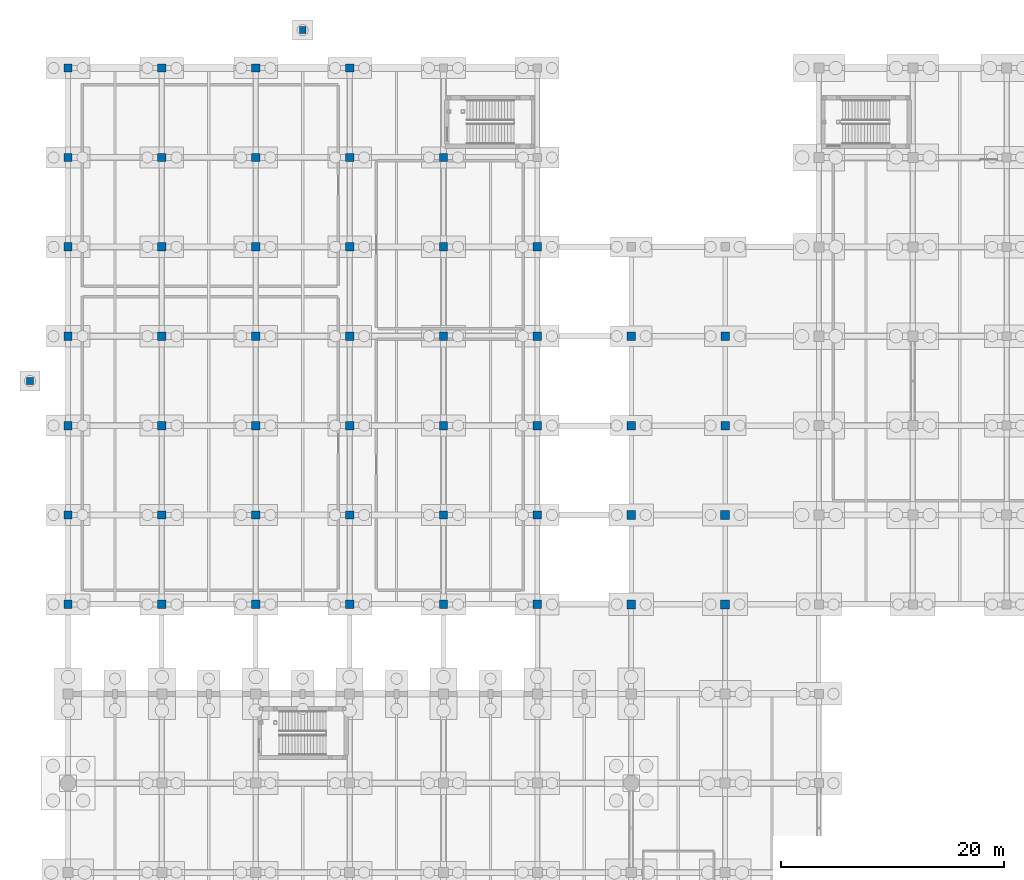
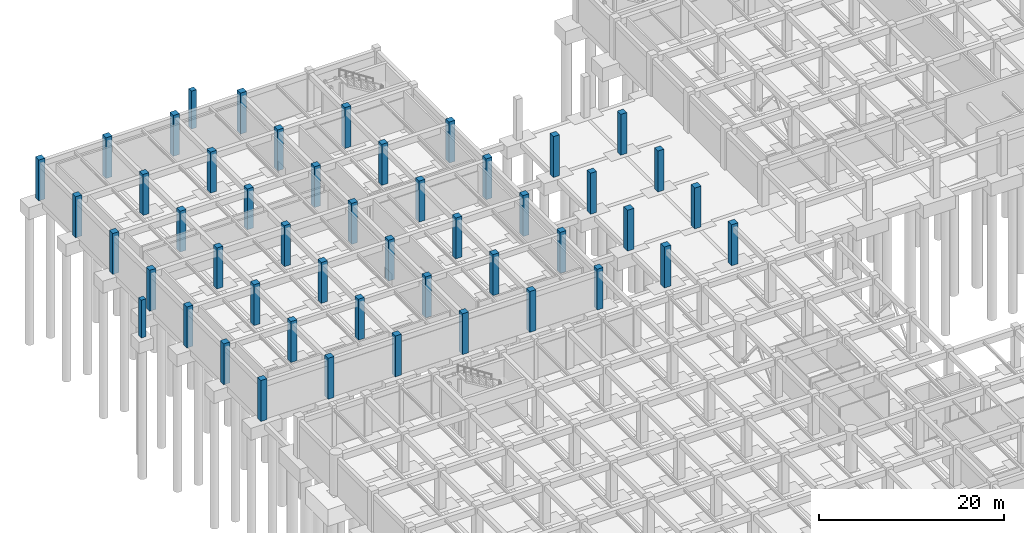
# One storey, part 19 of 56: 49 columns.
"""IFC4 building model written with IfcOpenShell, lengths in metres."""

from ifc_helpers import new_model, si_unit, direction, frame, origin, origin_2d, place, context, subcontext, project, spatial, rectangle, extrude, material, material_profile, profile_set, type_object, element, save


model = new_model("IFC4")

# Units and contexts
model_context = context("Model", 3, precision=1e-05, world=origin(), true_north=direction((0.0, 1.0)))
body_context = subcontext(model_context, "Body", "Model", "MODEL_VIEW")
ifc_project = project(units=[si_unit("LENGTHUNIT", "METRE"), si_unit("AREAUNIT", "SQUARE_METRE"), si_unit("VOLUMEUNIT", "CUBIC_METRE"), si_unit("PLANEANGLEUNIT", "RADIAN"), si_unit("MASSUNIT", "GRAM", prefix="KILO")], contexts=[model_context])

# Site, building, storey
site_placement = place(None, origin())
site = spatial("IfcSite", under=ifc_project, at=site_placement, CompositionType="ELEMENT")
building_placement = place(site_placement, origin())
building = spatial("IfcBuilding", under=site, at=building_placement, Name="Naruveol Harbour Congress Hotel", CompositionType="ELEMENT")
storey_placement = place(building_placement, frame((0.0, 0.0, -5.39990234375)))
storey = spatial("IfcBuildingStorey", under=building, at=storey_placement, Name="B01", CompositionType="ELEMENT", Elevation=-5.39990234375)

# Columns
ifc_material_1 = material(Name="Concrete C50/60", Category="concrete")
ifc_material_profile_1 = material_profile(ifc_material_1, rectangle(XDim=0.800048828125, YDim=0.800048828125, at=origin_2d()), Name="RC-800x800")
ifc_profile_set_1 = profile_set([ifc_material_profile_1], Name="Concrete C50/60")
column_type_1 = type_object("IfcColumnType", Name="RC PODIUM COLUMN 800X800", PredefinedType="COLUMN", material=ifc_profile_set_1)
for number, where, z_axis, x_axis, name in (
    (1, (50.39990234375, 64.0, 0.0), (0.0, 0.0, 1.0), (1.0, 0.0, 0.0), "Column C-800 B01 (50.4,64.0)"),
    (2, (50.39990234375, 72.0, 0.0), (0.0, 0.0, 1.0), (1.0, 0.0, 0.0), "Column C-800 B01 (50.4,72.0)"),
    (3, (58.800048828125, 64.0, 0.0), (0.0, 0.0, 1.0), (1.0, 0.0, 0.0), "Column C-800 B01 (58.8,64.0)"),
    (4, (58.800048828125, 72.0, 0.0), (0.0, 0.0, 1.0), (1.0, 0.0, 0.0), "Column C-800 B01 (58.8,72.0)"),
):
    element("IfcColumn", number, at=place(storey_placement, frame(where, z_axis=z_axis, x_axis=x_axis)), inside=storey, type_object=column_type_1, Name=name, PredefinedType="COLUMN", context=body_context, shape_type="SweptSolid", body=[
        extrude(rectangle(XDim=0.800048828125, YDim=0.800048828125, at=origin_2d()), origin(), (0.0, 0.0, 1.0), 5.39990234375),
    ])
ifc_material_2 = material(Name="Concrete C40/50", Category="concrete")
ifc_material_profile_2 = material_profile(ifc_material_2, rectangle(XDim=0.60009765625, YDim=0.60009765625, at=origin_2d()), Name="RC-600x600")
ifc_profile_set_2 = profile_set([ifc_material_profile_2], Name="Concrete C40/50")
column_type_2 = type_object("IfcColumnType", Name="RC UPPER COLUMN 600X600", PredefinedType="COLUMN", material=ifc_profile_set_2)
for number, where, z_axis, x_axis, name in (
    (5, (-3.39990234375, 84.0, 0.0), (0.0, 0.0, 1.0), (1.0, 0.0, 0.0), "Column C-600 B01 (-3.4,84.0)"),
    (6, (21.0, 115.39990234375, 0.0), (0.0, 0.0, 1.0), (1.0, 0.0, 0.0), "Column C-600 B01 (21.0,115.4)"),
):
    element("IfcColumn", number, at=place(storey_placement, frame(where, z_axis=z_axis, x_axis=x_axis)), inside=storey, type_object=column_type_2, Name=name, PredefinedType="COLUMN", context=body_context, shape_type="SweptSolid", body=[
        extrude(rectangle(XDim=0.60009765625, YDim=0.60009765625, at=origin_2d()), origin(), (0.0, 0.0, 1.0), 5.0),
    ])
ifc_material_3 = material(Name="Concrete C50/60", Category="concrete")
ifc_material_profile_3 = material_profile(ifc_material_3, rectangle(XDim=0.75, YDim=0.75, at=origin_2d()), Name="RC-750x750")
ifc_profile_set_3 = profile_set([ifc_material_profile_3], Name="Concrete C50/60")
column_type_3 = type_object("IfcColumnType", Name="RC WING COLUMN 750X750", PredefinedType="COLUMN", material=ifc_profile_set_3)
for number, where, z_axis, x_axis, name in (
    (7, (0.0, 64.0, 0.0), (0.0, 0.0, 1.0), (1.0, 0.0, 0.0), "Column C-750 B01 (0.0,64.0)"),
    (8, (0.0, 72.0, 0.0), (0.0, 0.0, 1.0), (1.0, 0.0, 0.0), "Column C-750 B01 (0.0,72.0)"),
    (9, (0.0, 80.0, 0.0), (0.0, 0.0, 1.0), (1.0, 0.0, 0.0), "Column C-750 B01 (0.0,80.0)"),
    (10, (0.0, 88.0, 0.0), (0.0, 0.0, 1.0), (1.0, 0.0, 0.0), "Column C-750 B01 (0.0,88.0)"),
    (11, (0.0, 96.0, 0.0), (0.0, 0.0, 1.0), (1.0, 0.0, 0.0), "Column C-750 B01 (0.0,96.0)"),
    (12, (0.0, 104.0, 0.0), (0.0, 0.0, 1.0), (1.0, 0.0, 0.0), "Column C-750 B01 (0.0,104.0)"),
    (13, (0.0, 112.0, 0.0), (0.0, 0.0, 1.0), (1.0, 0.0, 0.0), "Column C-750 B01 (0.0,112.0)"),
    (14, (8.39990234375, 64.0, 0.0), (0.0, 0.0, 1.0), (1.0, 0.0, 0.0), "Column C-750 B01 (8.4,64.0)"),
    (15, (8.39990234375, 72.0, 0.0), (0.0, 0.0, 1.0), (1.0, 0.0, 0.0), "Column C-750 B01 (8.4,72.0)"),
    (16, (8.39990234375, 80.0, 0.0), (0.0, 0.0, 1.0), (1.0, 0.0, 0.0), "Column C-750 B01 (8.4,80.0)"),
    (17, (8.39990234375, 88.0, 0.0), (0.0, 0.0, 1.0), (1.0, 0.0, 0.0), "Column C-750 B01 (8.4,88.0)"),
    (18, (8.39990234375, 96.0, 0.0), (0.0, 0.0, 1.0), (1.0, 0.0, 0.0), "Column C-750 B01 (8.4,96.0)"),
    (19, (8.39990234375, 104.0, 0.0), (0.0, 0.0, 1.0), (1.0, 0.0, 0.0), "Column C-750 B01 (8.4,104.0)"),
    (20, (8.39990234375, 112.0, 0.0), (0.0, 0.0, 1.0), (1.0, 0.0, 0.0), "Column C-750 B01 (8.4,112.0)"),
    (21, (16.800048828125, 64.0, 0.0), (0.0, 0.0, 1.0), (1.0, 0.0, 0.0), "Column C-750 B01 (16.8,64.0)"),
    (22, (16.800048828125, 72.0, 0.0), (0.0, 0.0, 1.0), (1.0, 0.0, 0.0), "Column C-750 B01 (16.8,72.0)"),
    (23, (16.800048828125, 80.0, 0.0), (0.0, 0.0, 1.0), (1.0, 0.0, 0.0), "Column C-750 B01 (16.8,80.0)"),
    (24, (16.800048828125, 88.0, 0.0), (0.0, 0.0, 1.0), (1.0, 0.0, 0.0), "Column C-750 B01 (16.8,88.0)"),
    (25, (16.800048828125, 96.0, 0.0), (0.0, 0.0, 1.0), (1.0, 0.0, 0.0), "Column C-750 B01 (16.8,96.0)"),
    (26, (16.800048828125, 104.0, 0.0), (0.0, 0.0, 1.0), (1.0, 0.0, 0.0), "Column C-750 B01 (16.8,104.0)"),
    (27, (16.800048828125, 112.0, 0.0), (0.0, 0.0, 1.0), (1.0, 0.0, 0.0), "Column C-750 B01 (16.8,112.0)"),
    (28, (25.199951171875, 64.0, 0.0), (0.0, 0.0, 1.0), (1.0, 0.0, 0.0), "Column C-750 B01 (25.2,64.0)"),
    (29, (25.199951171875, 72.0, 0.0), (0.0, 0.0, 1.0), (1.0, 0.0, 0.0), "Column C-750 B01 (25.2,72.0)"),
    (30, (25.199951171875, 80.0, 0.0), (0.0, 0.0, 1.0), (1.0, 0.0, 0.0), "Column C-750 B01 (25.2,80.0)"),
    (31, (25.199951171875, 88.0, 0.0), (0.0, 0.0, 1.0), (1.0, 0.0, 0.0), "Column C-750 B01 (25.2,88.0)"),
    (32, (25.199951171875, 96.0, 0.0), (0.0, 0.0, 1.0), (1.0, 0.0, 0.0), "Column C-750 B01 (25.2,96.0)"),
    (33, (25.199951171875, 104.0, 0.0), (0.0, 0.0, 1.0), (1.0, 0.0, 0.0), "Column C-750 B01 (25.2,104.0)"),
    (34, (25.199951171875, 112.0, 0.0), (0.0, 0.0, 1.0), (1.0, 0.0, 0.0), "Column C-750 B01 (25.2,112.0)"),
    (35, (33.60009765625, 64.0, 0.0), (0.0, 0.0, 1.0), (1.0, 0.0, 0.0), "Column C-750 B01 (33.6,64.0)"),
    (36, (33.60009765625, 72.0, 0.0), (0.0, 0.0, 1.0), (1.0, 0.0, 0.0), "Column C-750 B01 (33.6,72.0)"),
    (37, (33.60009765625, 80.0, 0.0), (0.0, 0.0, 1.0), (1.0, 0.0, 0.0), "Column C-750 B01 (33.6,80.0)"),
    (38, (33.60009765625, 88.0, 0.0), (0.0, 0.0, 1.0), (1.0, 0.0, 0.0), "Column C-750 B01 (33.6,88.0)"),
    (39, (33.60009765625, 96.0, 0.0), (0.0, 0.0, 1.0), (1.0, 0.0, 0.0), "Column C-750 B01 (33.6,96.0)"),
    (40, (33.60009765625, 104.0, 0.0), (0.0, 0.0, 1.0), (1.0, 0.0, 0.0), "Column C-750 B01 (33.6,104.0)"),
    (41, (42.0, 64.0, 0.0), (0.0, 0.0, 1.0), (1.0, 0.0, 0.0), "Column C-750 B01 (42.0,64.0)"),
    (42, (42.0, 72.0, 0.0), (0.0, 0.0, 1.0), (1.0, 0.0, 0.0), "Column C-750 B01 (42.0,72.0)"),
    (43, (42.0, 80.0, 0.0), (0.0, 0.0, 1.0), (1.0, 0.0, 0.0), "Column C-750 B01 (42.0,80.0)"),
    (44, (42.0, 88.0, 0.0), (0.0, 0.0, 1.0), (1.0, 0.0, 0.0), "Column C-750 B01 (42.0,88.0)"),
    (45, (42.0, 96.0, 0.0), (0.0, 0.0, 1.0), (1.0, 0.0, 0.0), "Column C-750 B01 (42.0,96.0)"),
    (46, (50.39990234375, 80.0, 0.0), (0.0, 0.0, 1.0), (1.0, 0.0, 0.0), "Column C-750 B01 (50.4,80.0)"),
    (47, (50.39990234375, 88.0, 0.0), (0.0, 0.0, 1.0), (1.0, 0.0, 0.0), "Column C-750 B01 (50.4,88.0)"),
    (48, (58.800048828125, 80.0, 0.0), (0.0, 0.0, 1.0), (1.0, 0.0, 0.0), "Column C-750 B01 (58.8,80.0)"),
    (49, (58.800048828125, 88.0, 0.0), (0.0, 0.0, 1.0), (1.0, 0.0, 0.0), "Column C-750 B01 (58.8,88.0)"),
):
    element("IfcColumn", number, at=place(storey_placement, frame(where, z_axis=z_axis, x_axis=x_axis)), inside=storey, type_object=column_type_3, Name=name, PredefinedType="COLUMN", context=body_context, shape_type="SweptSolid", body=[
        extrude(rectangle(XDim=0.75, YDim=0.75, at=origin_2d()), origin(), (0.0, 0.0, 1.0), 5.39990234375),
    ])

save(model, "model.ifc")
